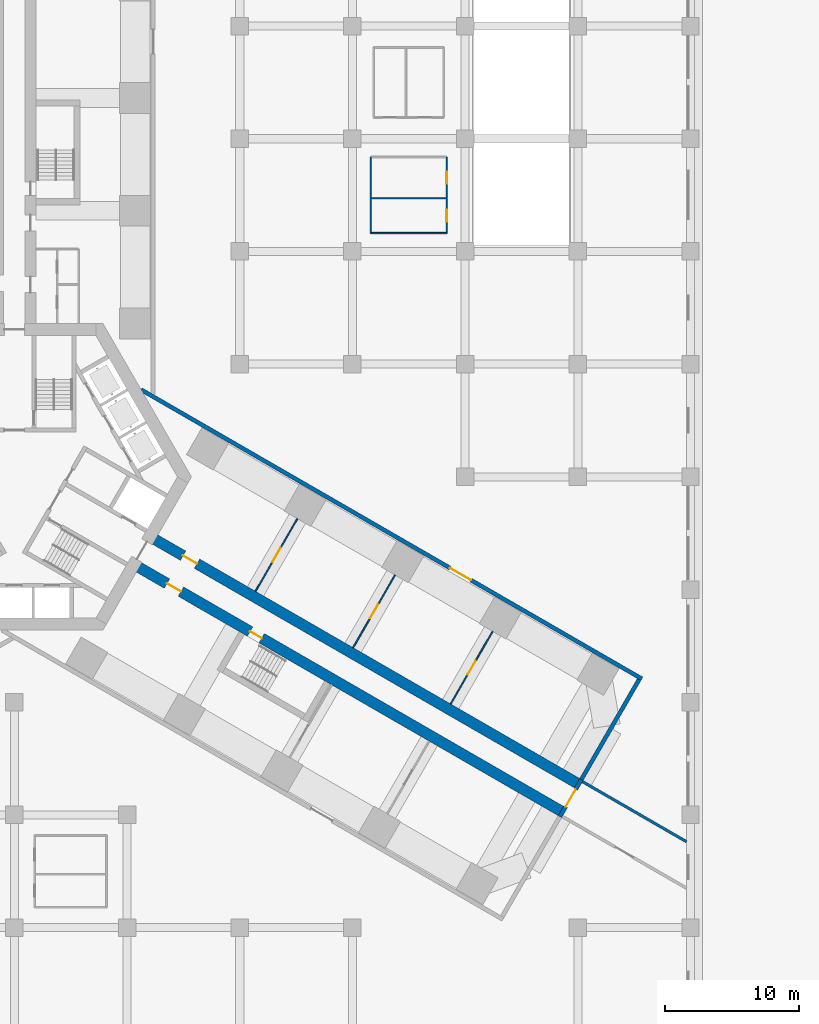
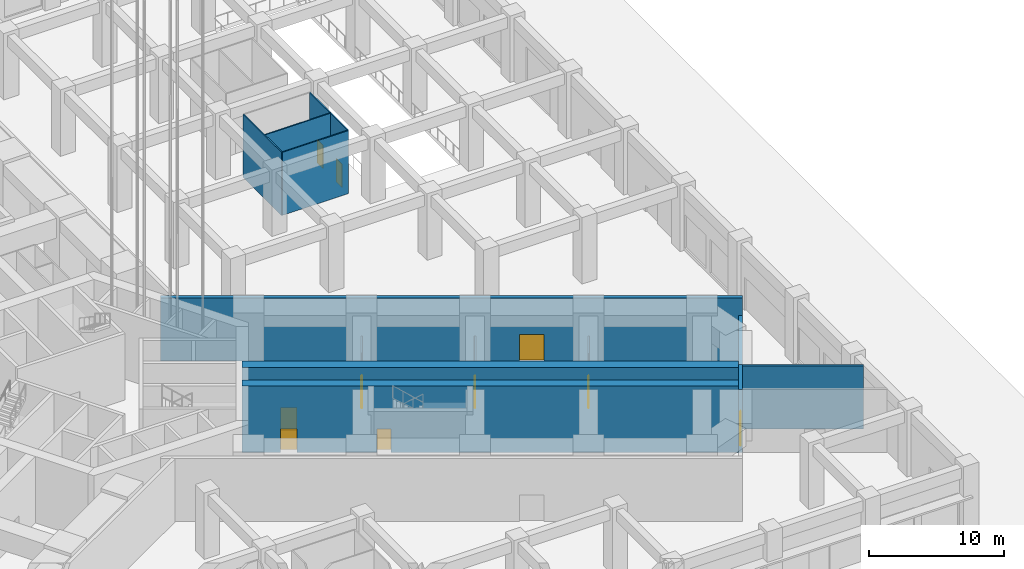
# One storey, part 11 of 33: 13 walls, 10 doors, 10 openings.
"""IFC4 building model written with IfcOpenShell, lengths in metres."""

from ifc_helpers import new_model, si_unit, direction, frame, frame_2d, origin, place, context, subcontext, project, spatial, rectangle, extrude, material, layer, layer_set, type_object, element, fill, save


model = new_model("IFC4")

# Units and contexts
model_context = context("Model", 3, precision=1e-05, world=origin(), true_north=direction((0.0, 1.0)))
body_context = subcontext(model_context, "Body", "Model", "MODEL_VIEW")
ifc_project = project(units=[si_unit("LENGTHUNIT", "METRE"), si_unit("AREAUNIT", "SQUARE_METRE"), si_unit("VOLUMEUNIT", "CUBIC_METRE"), si_unit("PLANEANGLEUNIT", "RADIAN"), si_unit("MASSUNIT", "GRAM", prefix="KILO")], contexts=[model_context])

# Site, building, storey
site_placement = place(None, origin())
site = spatial("IfcSite", under=ifc_project, at=site_placement, CompositionType="ELEMENT")
building_placement = place(site_placement, origin())
building = spatial("IfcBuilding", under=site, at=building_placement, Name="Impinga Residences", CompositionType="ELEMENT")
storey_placement = place(building_placement, origin())
storey = spatial("IfcBuildingStorey", under=building, at=storey_placement, Name="L00", CompositionType="ELEMENT", Elevation=0.0)

# Wall, opening, door
ifc_material_1 = material(Name="Concrete C70/85", Category="concrete")
ifc_layer_1 = layer(ifc_material_1, 0.800048828125)
ifc_layer_set_1 = layer_set([ifc_layer_1], Name="Concrete C70/85")
wall_type_1 = type_object("IfcWallType", Name="BW0 corridor buttress wall, B3 to L04 800", PredefinedType="SHEAR", material=ifc_layer_set_1)
wall_1_placement = place(storey_placement, frame((10.1103515625, -4.451416015625, 0.0), z_axis=(0.0, 0.0, 1.0), x_axis=(0.866025284237, -0.500000207062, 0.0)))
wall_1 = element("IfcWall", 1, at=wall_1_placement, inside=storey, type_object=wall_type_1, Name="Corridor wall BW0 EC L00", PredefinedType="SHEAR", context=body_context, shape_type="SweptSolid", body=[
    extrude(rectangle(XDim=36.75, YDim=0.800048828125, at=frame_2d((18.375, 0.0))), origin(), (0.0, 0.0, 1.0), 6.0),
])
opening_1_placement = place(wall_1_placement, frame((2.85009765625, 0.0, 0.0)))
opening_1 = element("IfcOpeningElement", 2, at=opening_1_placement, cuts=wall_1, Name="Opening D3", PredefinedType="OPENING", context=body_context, shape_type="SweptSolid", body=[
    extrude(rectangle(XDim=1.199951171875, YDim=2.10009765625, at=frame_2d((0.60009765625, 1.050048828125))), frame((0.0, 0.409912109375, 0.0), z_axis=(0.0, -1.0, 0.0), x_axis=(1.0, 0.0, 0.0)), (0.0, 0.0, 1.0), 0.820068359375),
])
ifc_material_2 = material(Name="Timber door set", Category="wood")
door_type_1 = type_object("IfcDoorType", Name="D3 room door, leaf and a half 1200x2100", OperationType="DOUBLE_SWING_LEFT", PredefinedType="DOOR", material=ifc_material_2)
door_1_placement = place(opening_1_placement, origin())
door_1 = element("IfcDoor", 3, at=door_1_placement, inside=storey, type_object=door_type_1, Name="HV switch room door L00-EA1", OperationType="DOUBLE_SWING_LEFT", OverallHeight=2.10009765625, OverallWidth=1.199951171875, PredefinedType="DOOR", context=body_context, shape_type="SweptSolid", body=[
    extrude(rectangle(XDim=1.199951171875, YDim=2.10009765625, at=frame_2d((0.60009765625, 1.050048828125))), frame((0.0, 0.02490234375, 0.0), z_axis=(0.0, -1.0, 0.0), x_axis=(1.0, 0.0, 0.0)), (0.0, 0.0, 1.0), 0.050048828125),
])
fill(opening_1, door_1)

# Wall, openings, doors
wall_2_placement = place(storey_placement, frame((8.910400390625, -6.530029296875, 0.0), z_axis=(0.0, 0.0, 1.0), x_axis=(0.866025284237, -0.500000207062, 0.0)))
wall_2 = element("IfcWall", 4, at=wall_2_placement, inside=storey, type_object=wall_type_1, Name="Corridor wall BW0 ED L00", PredefinedType="SHEAR", context=body_context, shape_type="SweptSolid", body=[
    extrude(rectangle(XDim=36.75, YDim=0.800048828125, at=frame_2d((18.375, 0.0))), origin(), (0.0, 0.0, 1.0), 6.0),
])
opening_2_placement = place(wall_2_placement, frame((10.0, 0.0, 0.0)))
opening_2 = element("IfcOpeningElement", 5, at=opening_2_placement, cuts=wall_2, Name="Opening D5", PredefinedType="OPENING", context=body_context, shape_type="SweptSolid", body=[
    extrude(rectangle(XDim=1.0, YDim=2.10009765625, at=frame_2d((0.5, 1.050048828125))), frame((0.0, 0.409912109375, 0.0), z_axis=(0.0, -1.0, 0.0), x_axis=(1.0, 0.0, 0.0)), (0.0, 0.0, 1.0), 0.820068359375),
])
opening_3_placement = place(wall_2_placement, frame((2.85009765625, 0.0, 0.0)))
opening_3 = element("IfcOpeningElement", 6, at=opening_3_placement, cuts=wall_2, Name="Opening D3", PredefinedType="OPENING", context=body_context, shape_type="SweptSolid", body=[
    extrude(rectangle(XDim=1.199951171875, YDim=2.10009765625, at=frame_2d((0.60009765625, 1.050048828125))), frame((0.0, 0.409912109375, 0.0), z_axis=(0.0, -1.0, 0.0), x_axis=(1.0, 0.0, 0.0)), (0.0, 0.0, 1.0), 0.820068359375),
])
door_2_placement = place(opening_3_placement, origin())
door_2 = element("IfcDoor", 7, at=door_2_placement, inside=storey, type_object=door_type_1, Name="Generator plant room door L00-EF1", OperationType="DOUBLE_SWING_LEFT", OverallHeight=2.10009765625, OverallWidth=1.199951171875, PredefinedType="DOOR", context=body_context, shape_type="SweptSolid", body=[
    extrude(rectangle(XDim=1.199951171875, YDim=2.10009765625, at=frame_2d((0.60009765625, 1.050048828125))), frame((0.0, 0.02490234375, 0.0), z_axis=(0.0, -1.0, 0.0), x_axis=(1.0, 0.0, 0.0)), (0.0, 0.0, 1.0), 0.050048828125),
])
fill(opening_3, door_2)
door_type_2 = type_object("IfcDoorType", Name="D5 stair door 1000x2100", OperationType="SINGLE_SWING_LEFT", PredefinedType="DOOR", material=ifc_material_2)
door_3_placement = place(opening_2_placement, origin())
door_3 = element("IfcDoor", 8, at=door_3_placement, inside=storey, type_object=door_type_2, Name="Wing stair door E", OperationType="SINGLE_SWING_LEFT", OverallHeight=2.10009765625, OverallWidth=1.0, PredefinedType="DOOR", context=body_context, shape_type="SweptSolid", body=[
    extrude(rectangle(XDim=1.0, YDim=2.10009765625, at=frame_2d((0.5, 1.050048828125))), frame((0.0, 0.02490234375, 0.0), z_axis=(0.0, -1.0, 0.0), x_axis=(1.0, 0.0, 0.0)), (0.0, 0.0, 1.0), 0.050048828125),
])
fill(opening_2, door_3)

# Wall, opening, door
ifc_material_3 = material(Name="Concrete blockwork", Category="masonry")
ifc_layer_2 = layer(ifc_material_3, 0.10009765625)
ifc_layer_set_2 = layer_set([ifc_layer_2], Name="CP1 core room partition, blockwork 100")
wall_type_2 = type_object("IfcWallType", Name="CP1 core room partition, blockwork 100", PredefinedType="PARTITIONING", material=ifc_layer_set_2)
wall_3_placement = place(storey_placement, frame((17.974609375, -8.530029296875, 0.0), z_axis=(0.0, 0.0, 1.0), x_axis=(0.500004234368, 0.866022959057, 0.0)))
wall_3 = element("IfcWall", 9, at=wall_3_placement, inside=storey, type_object=wall_type_2, Name="Core room partition, blockwork L00-EA1:PS1", PredefinedType="PARTITIONING", context=body_context, shape_type="SweptSolid", body=[
    extrude(rectangle(XDim=6.25, YDim=0.10009765625, at=frame_2d((3.125, 0.0))), origin(), (0.0, 0.0, 1.0), 3.89990234375),
])
opening_4_placement = place(wall_3_placement, frame((2.52490234375, 0.0, 0.0)))
opening_4 = element("IfcOpeningElement", 10, at=opening_4_placement, cuts=wall_3, Name="Opening D3", PredefinedType="OPENING", context=body_context, shape_type="SweptSolid", body=[
    extrude(rectangle(XDim=1.199951171875, YDim=2.10009765625, at=frame_2d((0.60009765625, 1.050048828125))), frame((0.0, 0.06005859375, 0.0), z_axis=(0.0, -1.0, 0.0), x_axis=(1.0, 0.0, 0.0)), (0.0, 0.0, 1.0), 0.1201171875),
])
door_4_placement = place(opening_4_placement, origin())
door_4 = element("IfcDoor", 11, at=door_4_placement, inside=storey, type_object=door_type_1, Name="Transformer room door L00-EA1", OperationType="DOUBLE_SWING_LEFT", OverallHeight=2.10009765625, OverallWidth=1.199951171875, PredefinedType="DOOR", context=body_context, shape_type="SweptSolid", body=[
    extrude(rectangle(XDim=1.199951171875, YDim=2.10009765625, at=frame_2d((0.60009765625, 1.050048828125))), frame((0.0, 0.02490234375, 0.0), z_axis=(0.0, -1.0, 0.0), x_axis=(1.0, 0.0, 0.0)), (0.0, 0.0, 1.0), 0.050048828125),
])
fill(opening_4, door_4)

wall_4_placement = place(storey_placement, frame((25.249267578125, -12.730224609375, 0.0), z_axis=(0.0, 0.0, 1.0), x_axis=(0.499987320047, 0.866032724435, 0.0)))
wall_4 = element("IfcWall", 12, at=wall_4_placement, inside=storey, type_object=wall_type_2, Name="Core room partition, blockwork L00-EA1:PS2", PredefinedType="PARTITIONING", context=body_context, shape_type="SweptSolid", body=[
    extrude(rectangle(XDim=6.250244140625, YDim=0.10009765625, at=frame_2d((3.125, 0.0))), origin(), (0.0, 0.0, 1.0), 3.89990234375),
])
opening_5_placement = place(wall_4_placement, frame((2.52490234375, 0.0, 0.0)))
opening_5 = element("IfcOpeningElement", 13, at=opening_5_placement, cuts=wall_4, Name="Opening D3", PredefinedType="OPENING", context=body_context, shape_type="SweptSolid", body=[
    extrude(rectangle(XDim=1.199951171875, YDim=2.10009765625, at=frame_2d((0.60009765625, 1.050048828125))), frame((0.0, 0.06005859375, 0.0), z_axis=(0.0, -1.0, 0.0), x_axis=(1.0, 0.0, 0.0)), (0.0, 0.0, 1.0), 0.1201171875),
])
door_5_placement = place(opening_5_placement, origin())
door_5 = element("IfcDoor", 14, at=door_5_placement, inside=storey, type_object=door_type_1, Name="Transformer room door L00-EA1", OperationType="DOUBLE_SWING_LEFT", OverallHeight=2.10009765625, OverallWidth=1.199951171875, PredefinedType="DOOR", context=body_context, shape_type="SweptSolid", body=[
    extrude(rectangle(XDim=1.199951171875, YDim=2.10009765625, at=frame_2d((0.60009765625, 1.050048828125))), frame((0.0, 0.02490234375, 0.0), z_axis=(0.0, -1.0, 0.0), x_axis=(1.0, 0.0, 0.0)), (0.0, 0.0, 1.0), 0.050048828125),
])
fill(opening_5, door_5)

wall_5_placement = place(storey_placement, frame((32.52392578125, -16.93017578125, 0.0), z_axis=(0.0, 0.0, 1.0), x_axis=(0.500004234368, 0.866022959057, 0.0)))
wall_5 = element("IfcWall", 15, at=wall_5_placement, inside=storey, type_object=wall_type_2, Name="Core room partition, blockwork L00-EA1:PS3", PredefinedType="PARTITIONING", context=body_context, shape_type="SweptSolid", body=[
    extrude(rectangle(XDim=6.25, YDim=0.10009765625, at=frame_2d((3.125, 0.0))), origin(), (0.0, 0.0, 1.0), 3.89990234375),
])
opening_6_placement = place(wall_5_placement, frame((2.52490234375, 0.0, 0.0)))
opening_6 = element("IfcOpeningElement", 16, at=opening_6_placement, cuts=wall_5, Name="Opening D3", PredefinedType="OPENING", context=body_context, shape_type="SweptSolid", body=[
    extrude(rectangle(XDim=1.199951171875, YDim=2.10009765625, at=frame_2d((0.60009765625, 1.050048828125))), frame((0.0, 0.06005859375, 0.0), z_axis=(0.0, -1.0, 0.0), x_axis=(1.0, 0.0, 0.0)), (0.0, 0.0, 1.0), 0.1201171875),
])
door_6_placement = place(opening_6_placement, origin())
door_6 = element("IfcDoor", 17, at=door_6_placement, inside=storey, type_object=door_type_1, Name="LV switch room door L00-EA1", OperationType="DOUBLE_SWING_LEFT", OverallHeight=2.10009765625, OverallWidth=1.199951171875, PredefinedType="DOOR", context=body_context, shape_type="SweptSolid", body=[
    extrude(rectangle(XDim=1.199951171875, YDim=2.10009765625, at=frame_2d((0.60009765625, 1.050048828125))), frame((0.0, 0.02490234375, 0.0), z_axis=(0.0, -1.0, 0.0), x_axis=(1.0, 0.0, 0.0)), (0.0, 0.0, 1.0), 0.050048828125),
])
fill(opening_6, door_6)

# Wall
ifc_material_4 = material(Name="Gypsum board on steel studs", Category="steel")
ifc_layer_3 = layer(ifc_material_4, 0.10009765625)
ifc_layer_set_3 = layer_set([ifc_layer_3], Name="Gypsum board on steel studs")
wall_type_3 = type_object("IfcWallType", Name="IP1 partition 100", PredefinedType="PARTITIONING", material=ifc_layer_set_3)
wall_6_placement = place(storey_placement, frame((26.570068359375, 18.169921875, 0.0), z_axis=(0.0, 0.0, 1.0), x_axis=(1.0, 0.0, 0.0)))
element("IfcWall", 18, at=wall_6_placement, inside=storey, type_object=wall_type_3, Name="Partition L00:REG:NE:BLKS", PredefinedType="PARTITIONING", context=body_context, shape_type="SweptSolid", body=[
    extrude(rectangle(XDim=5.659912109375, YDim=0.10009765625, at=frame_2d((2.830078125, 0.0))), origin(), (0.0, 0.0, 1.0), 5.699951171875),
])

# Wall, openings, doors
wall_7_placement = place(storey_placement, frame((32.22998046875, 18.169921875, 0.0), z_axis=(0.0, 0.0, 1.0), x_axis=(0.0, 1.0, 0.0)))
wall_7 = element("IfcWall", 19, at=wall_7_placement, inside=storey, type_object=wall_type_3, Name="Partition L00:REG:NE:BLKE", PredefinedType="PARTITIONING", context=body_context, shape_type="SweptSolid", body=[
    extrude(rectangle(XDim=5.66015625, YDim=0.10009765625, at=frame_2d((2.830078125, 0.0))), origin(), (0.0, 0.0, 1.0), 5.699951171875),
])
opening_7_placement = place(wall_7_placement, frame((0.84814453125, 0.0, 0.0)))
opening_7 = element("IfcOpeningElement", 20, at=opening_7_placement, cuts=wall_7, Name="Opening D2", PredefinedType="OPENING", context=body_context, shape_type="SweptSolid", body=[
    extrude(rectangle(XDim=0.89990234375, YDim=2.10009765625, at=frame_2d((0.449951171875, 1.050048828125))), frame((0.0, 0.06005859375, 0.0), z_axis=(0.0, -1.0, 0.0), x_axis=(1.0, 0.0, 0.0)), (0.0, 0.0, 1.0), 0.1201171875),
])
opening_8_placement = place(wall_7_placement, frame((3.67822265625, 0.0, 0.0)))
opening_8 = element("IfcOpeningElement", 21, at=opening_8_placement, cuts=wall_7, Name="Opening D2", PredefinedType="OPENING", context=body_context, shape_type="SweptSolid", body=[
    extrude(rectangle(XDim=0.89990234375, YDim=2.10009765625, at=frame_2d((0.449951171875, 1.050048828125))), frame((0.0, 0.06005859375, 0.0), z_axis=(0.0, -1.0, 0.0), x_axis=(1.0, 0.0, 0.0)), (0.0, 0.0, 1.0), 0.1201171875),
])
door_type_3 = type_object("IfcDoorType", Name="D2 internal door 900x2100", OperationType="SINGLE_SWING_LEFT", PredefinedType="DOOR", material=ifc_material_2)
door_7_placement = place(opening_7_placement, origin())
door_7 = element("IfcDoor", 22, at=door_7_placement, inside=storey, type_object=door_type_3, Name="Goods-in office door", OperationType="SINGLE_SWING_LEFT", OverallHeight=2.10009765625, OverallWidth=0.89990234375, PredefinedType="DOOR", context=body_context, shape_type="SweptSolid", body=[
    extrude(rectangle(XDim=0.89990234375, YDim=2.10009765625, at=frame_2d((0.449951171875, 1.050048828125))), frame((0.0, 0.02490234375, 0.0), z_axis=(0.0, -1.0, 0.0), x_axis=(1.0, 0.0, 0.0)), (0.0, 0.0, 1.0), 0.050048828125),
])
fill(opening_7, door_7)
door_8_placement = place(opening_8_placement, origin())
door_8 = element("IfcDoor", 23, at=door_8_placement, inside=storey, type_object=door_type_3, Name="Security office door", OperationType="SINGLE_SWING_RIGHT", OverallHeight=2.10009765625, OverallWidth=0.89990234375, PredefinedType="DOOR", context=body_context, shape_type="SweptSolid", body=[
    extrude(rectangle(XDim=0.89990234375, YDim=2.10009765625, at=frame_2d((0.449951171875, 1.050048828125))), frame((0.0, 0.02490234375, 0.0), z_axis=(0.0, -1.0, 0.0), x_axis=(1.0, 0.0, 0.0)), (0.0, 0.0, 1.0), 0.050048828125),
])
fill(opening_8, door_8)

# Walls
wall_8_placement = place(storey_placement, frame((26.570068359375, 23.830078125, 0.0), z_axis=(0.0, 0.0, 1.0), x_axis=(0.0, -1.0, 0.0)))
element("IfcWall", 24, at=wall_8_placement, inside=storey, type_object=wall_type_3, Name="Partition L00:REG:NE:BLKW", PredefinedType="PARTITIONING", context=body_context, shape_type="SweptSolid", body=[
    extrude(rectangle(XDim=5.66015625, YDim=0.10009765625, at=frame_2d((2.830078125, 0.0))), origin(), (0.0, 0.0, 1.0), 5.699951171875),
])
wall_9_placement = place(storey_placement, frame((26.570068359375, 20.766357421875, 0.0), z_axis=(0.0, 0.0, 1.0), x_axis=(1.0, 0.0, 0.0)))
element("IfcWall", 25, at=wall_9_placement, inside=storey, type_object=wall_type_3, Name="Partition L00:REG:NE:BLKP1", PredefinedType="PARTITIONING", context=body_context, shape_type="SweptSolid", body=[
    extrude(rectangle(XDim=5.659912109375, YDim=0.10009765625, at=frame_2d((2.830078125, 0.0))), origin(), (0.0, 0.0, 1.0), 5.699951171875),
])
ifc_layer_4 = layer(ifc_material_3, 0.199951171875)
ifc_layer_set_4 = layer_set([ifc_layer_4], Name="PW2 podium compartment wall 200")
wall_type_4 = type_object("IfcWallType", Name="PW2 podium compartment wall 200", PredefinedType="SOLIDWALL", material=ifc_layer_set_4)
wall_10_placement = place(storey_placement, frame((42.346435546875, -22.716796875, 0.0), z_axis=(0.0, 0.0, 1.0), x_axis=(0.866038004836, -0.499978173704, 0.0)))
element("IfcWall", 26, at=wall_10_placement, inside=storey, type_object=wall_type_4, Name="Podium compartment wall L00:EXP:EA", PredefinedType="SOLIDWALL", context=body_context, shape_type="SweptSolid", body=[
    extrude(rectangle(XDim=8.953125, YDim=0.199951171875, at=frame_2d((4.4765625, 0.0))), origin(), (0.0, 0.0, 1.0), 5.699951171875),
])

# Wall, opening, door
ifc_layer_5 = layer(ifc_material_3, 0.300048828125)
ifc_layer_set_5 = layer_set([ifc_layer_5], Name="PW3 podium wall on the wing face 300")
wall_type_5 = type_object("IfcWallType", Name="PW3 podium wall on the wing face 300", PredefinedType="SOLIDWALL", material=ifc_layer_set_5)
wall_11_placement = place(storey_placement, frame((40.666748046875, -25.326416015625, 0.0), z_axis=(0.0, 0.0, 1.0), x_axis=(0.499971222258, 0.866042017984, 0.0)))
wall_11 = element("IfcWall", 27, at=wall_11_placement, inside=storey, type_object=wall_type_5, Name="Podium wall on the wing face L00:E:EXPC", PredefinedType="SOLIDWALL", context=body_context, shape_type="SweptSolid", body=[
    extrude(rectangle(XDim=3.199951171875, YDim=0.300048828125, at=frame_2d((1.60009765625, 0.0))), origin(), (0.0, 0.0, 1.0), 5.699951171875),
])
opening_9_placement = place(wall_11_placement, frame((0.85009765625, 0.0, 0.0)))
opening_9 = element("IfcOpeningElement", 28, at=opening_9_placement, cuts=wall_11, Name="Opening D4", PredefinedType="OPENING", context=body_context, shape_type="SweptSolid", body=[
    extrude(rectangle(XDim=1.5, YDim=2.10009765625, at=frame_2d((0.75, 1.050048828125))), frame((0.0, 0.159912109375, 0.0), z_axis=(0.0, -1.0, 0.0), x_axis=(1.0, 0.0, 0.0)), (0.0, 0.0, 1.0), 0.320068359375),
])
door_type_4 = type_object("IfcDoorType", Name="D4 lobby door pair 1500x2100", OperationType="DOUBLE_DOOR_DOUBLE_SWING", PredefinedType="DOOR", material=ifc_material_2)
door_9_placement = place(opening_9_placement, origin())
door_9 = element("IfcDoor", 29, at=door_9_placement, inside=storey, type_object=door_type_4, Name="Exit passage door E", OperationType="DOUBLE_DOOR_DOUBLE_SWING", OverallHeight=2.10009765625, OverallWidth=1.5, PredefinedType="DOOR", context=body_context, shape_type="SweptSolid", body=[
    extrude(rectangle(XDim=1.5, YDim=2.10009765625, at=frame_2d((0.75, 1.050048828125))), frame((0.0, 0.02490234375, 0.0), z_axis=(0.0, -1.0, 0.0), x_axis=(1.0, 0.0, 0.0)), (0.0, 0.0, 1.0), 0.050048828125),
])
fill(opening_9, door_9)

# Wall
wall_12_placement = place(storey_placement, frame((42.2666015625, -22.55517578125, 0.0), z_axis=(0.0, 0.0, 1.0), x_axis=(0.500007509209, 0.866021068297, 0.0)))
element("IfcWall", 30, at=wall_12_placement, inside=storey, type_object=wall_type_5, Name="Podium wall on the wing face L00:END:EA", PredefinedType="SOLIDWALL", context=body_context, shape_type="SweptSolid", body=[
    extrude(rectangle(XDim=8.599853515625, YDim=0.300048828125, at=frame_2d((4.2998046875, 0.0))), origin(), (0.0, 0.0, 1.0), 4.10009765625),
])

# Wall, opening, door
wall_13_placement = place(storey_placement, frame((9.449951171875, 6.4951171875, 0.0), z_axis=(0.0, 0.0, 1.0), x_axis=(0.866025301493, -0.500000177174, 0.0)))
wall_13 = element("IfcWall", 31, at=wall_13_placement, inside=storey, type_object=wall_type_5, Name="Podium wall on the wing face L00:SIDE:EA0", PredefinedType="SOLIDWALL", context=body_context, shape_type="SweptSolid", body=[
    extrude(rectangle(XDim=43.09521484375, YDim=0.300048828125, at=frame_2d((21.547607421875, 0.0))), origin(), (0.0, 0.0, 1.0), 5.699951171875),
])
opening_10_placement = place(wall_13_placement, frame((26.59521484375, 0.0, 0.0)))
opening_10 = element("IfcOpeningElement", 32, at=opening_10_placement, cuts=wall_13, Name="Opening D7", PredefinedType="OPENING", context=body_context, shape_type="SweptSolid", body=[
    extrude(rectangle(XDim=1.800048828125, YDim=2.39990234375, at=frame_2d((0.89990234375, 1.199951171875))), frame((0.0, 0.159912109375, 0.0), z_axis=(0.0, -1.0, 0.0), x_axis=(1.0, 0.0, 0.0)), (0.0, 0.0, 1.0), 0.320068359375),
])
door_type_5 = type_object("IfcDoorType", Name="D7 podium door pair 1800x2400", OperationType="DOUBLE_DOOR_DOUBLE_SWING", PredefinedType="DOOR", material=ifc_material_2)
door_10_placement = place(opening_10_placement, origin())
door_10 = element("IfcDoor", 33, at=door_10_placement, inside=storey, type_object=door_type_5, Name="Double door EA", OperationType="DOUBLE_DOOR_DOUBLE_SWING", OverallHeight=2.39990234375, OverallWidth=1.800048828125, PredefinedType="DOOR", context=body_context, shape_type="SweptSolid", body=[
    extrude(rectangle(XDim=1.800048828125, YDim=2.39990234375, at=frame_2d((0.89990234375, 1.199951171875))), frame((0.0, 0.02490234375, 0.0), z_axis=(0.0, -1.0, 0.0), x_axis=(1.0, 0.0, 0.0)), (0.0, 0.0, 1.0), 0.050048828125),
])
fill(opening_10, door_10)

save(model, "model.ifc")
